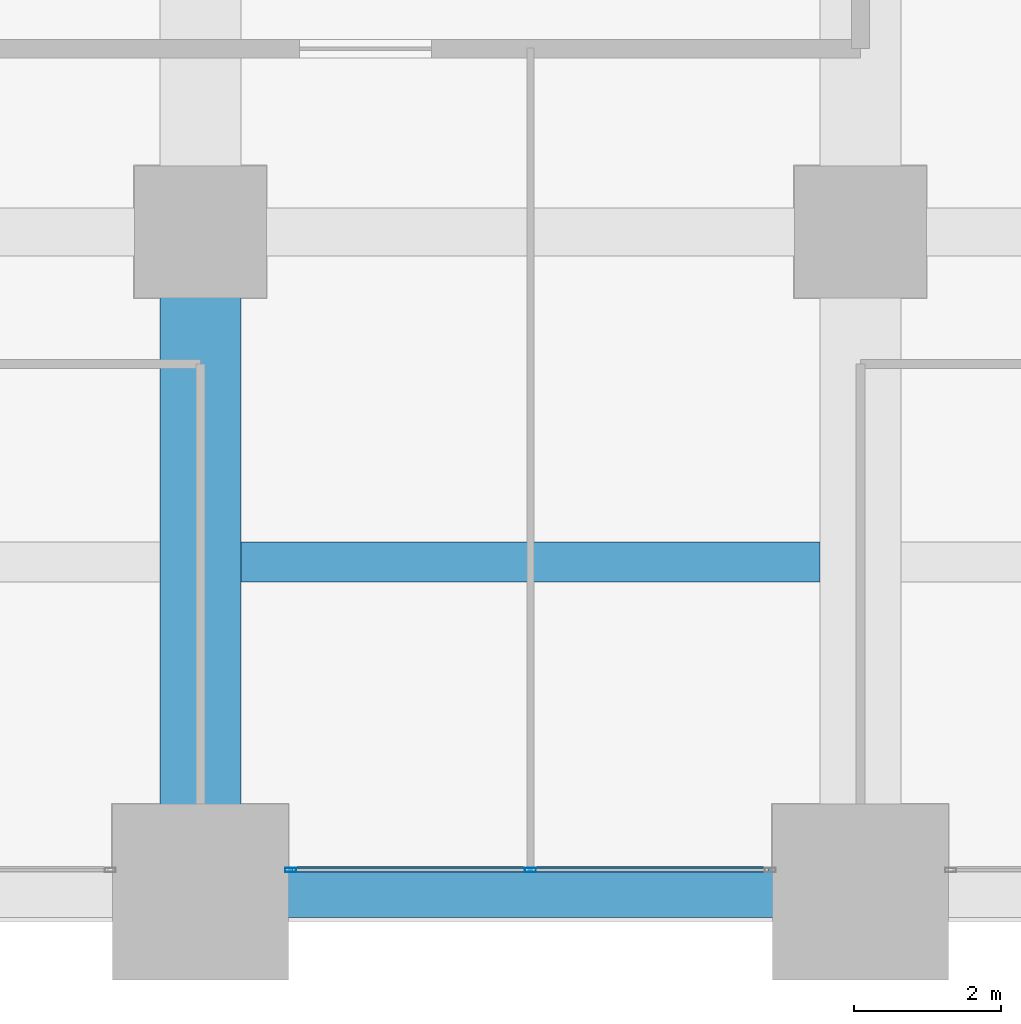
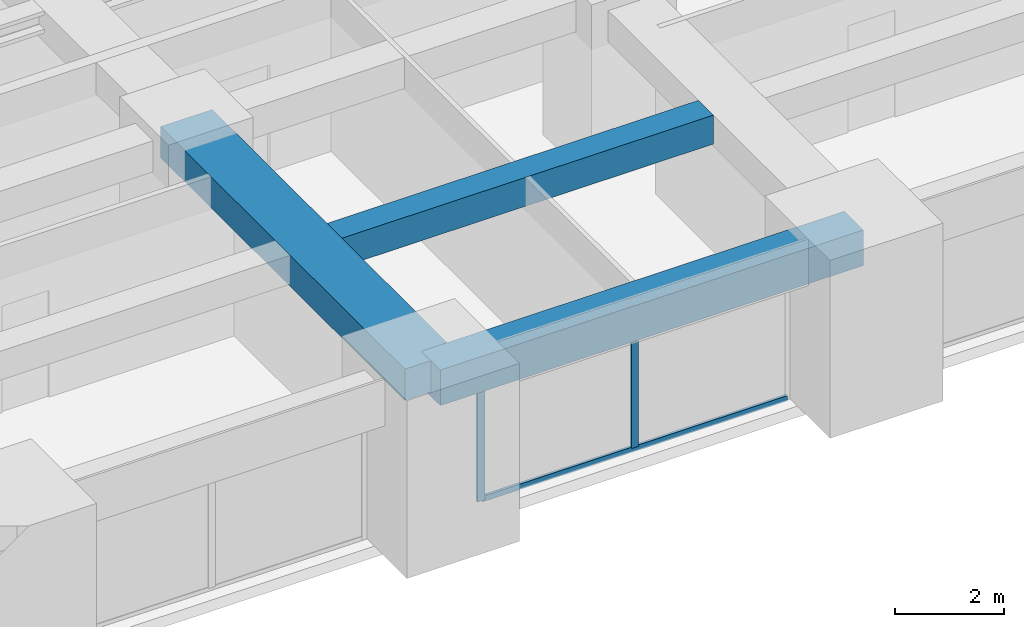
# One storey, part 7 of 39: 3 beams, 3 members, 1 element without a shape of its own.
"""IFC4 building model written with IfcOpenShell, lengths in metres."""

from ifc_helpers import new_model, si_unit, direction, frame, origin, origin_2d, place, context, subcontext, project, spatial, rectangle, hollow_rectangle, extrude, material, material_profile, profile_set, type_object, element, aggregate, save


model = new_model("IFC4")

# Units and contexts
model_context = context("Model", 3, precision=1e-05, world=origin(), true_north=direction((0.0, 1.0)))
body_context = subcontext(model_context, "Body", "Model", "MODEL_VIEW")
ifc_project = project(units=[si_unit("LENGTHUNIT", "METRE"), si_unit("AREAUNIT", "SQUARE_METRE"), si_unit("VOLUMEUNIT", "CUBIC_METRE"), si_unit("PLANEANGLEUNIT", "RADIAN"), si_unit("MASSUNIT", "GRAM", prefix="KILO")], contexts=[model_context])

# Site, building, storey
site_placement = place(None, origin())
site = spatial("IfcSite", under=ifc_project, at=site_placement, CompositionType="ELEMENT")
building_placement = place(site_placement, origin())
building = spatial("IfcBuilding", under=site, at=building_placement, Name="Zorevar Civic Tower", CompositionType="ELEMENT")
storey_placement = place(building_placement, frame((0.0, 0.0, 125.0)))
storey = spatial("IfcBuildingStorey", under=building, at=storey_placement, Name="L30", CompositionType="ELEMENT", Elevation=125.0)

# Beams
ifc_material_1 = material(Name="Concrete C50/60", Category="concrete")
ifc_material_profile_1 = material_profile(ifc_material_1, rectangle(XDim=1.10009765625, YDim=0.699951171875, at=origin_2d()), Name="RC 1100x700")
ifc_profile_set_1 = profile_set([ifc_material_profile_1], Name="Concrete C50/60")
beam_type_1 = type_object("IfcBeamType", Name="Beam RC 1100x700", PredefinedType="BEAM", material=ifc_profile_set_1)
beam_1_placement = place(storey_placement, frame((27.0, 0.0, 3.39990234375), z_axis=(0.0, 1.0, 0.0), x_axis=(-1.0, 0.0, 0.0)))
element("IfcBeam", 1, at=beam_1_placement, inside=storey, type_object=beam_type_1, Name="Girder L31", PredefinedType="BEAM", context=body_context, shape_type="SweptSolid", body=[
    extrude(rectangle(XDim=1.10009765625, YDim=0.699951171875, at=origin_2d()), origin(), (0.0, 0.0, 1.0), 9.0),
])
ifc_material_2 = material(Name="Concrete C50/60", Category="concrete")
ifc_material_profile_2 = material_profile(ifc_material_2, rectangle(XDim=0.550048828125, YDim=0.64990234375, at=origin_2d()), Name="RC 550x650")
ifc_profile_set_2 = profile_set([ifc_material_profile_2], Name="Concrete C50/60")
beam_type_2 = type_object("IfcBeamType", Name="Beam RC 550x650", PredefinedType="BEAM", material=ifc_profile_set_2)
beam_2_placement = place(storey_placement, frame((27.550048828125, 4.5, 3.425048828125), z_axis=(1.0, 0.0, 0.0), x_axis=(0.0, 1.0, 0.0)))
element("IfcBeam", 2, at=beam_2_placement, inside=storey, type_object=beam_type_2, Name="Secondary beam L31", PredefinedType="BEAM", context=body_context, shape_type="SweptSolid", body=[
    extrude(rectangle(XDim=0.550048828125, YDim=0.64990234375, at=origin_2d()), origin(), (0.0, 0.0, 1.0), 7.89990234375),
])

# Curtain wall, members
ifc_material_3 = material(Name="Dark grey solar-control glass in black aluminium frame", Category="aluminium")
curtain_wall_type = type_object("IfcCurtainWallType", Name="Curtain wall CW3 mid zone", PredefinedType="NOTDEFINED", material=ifc_material_3)
curtain_wall_placement = place(storey_placement, origin())
curtain_wall = element("IfcCurtainWall", 3, at=curtain_wall_placement, inside=storey, type_object=curtain_wall_type, Name="CW3 L30", PredefinedType="NOTDEFINED")
ifc_material_4 = material(Name="Aluminium, black anodised", Category="aluminium")
ifc_material_profile_3 = material_profile(ifc_material_4, hollow_rectangle(XDim=0.06005859375, YDim=0.14990234375, WallThickness=0.00390625, at=origin_2d()), Name="AL 150x60x4")
ifc_profile_set_3 = profile_set([ifc_material_profile_3], Name="Aluminium, black anodised")
member_type_1 = type_object("IfcMemberType", Name="CW3 mullion AL 150x60x4", PredefinedType="MULLION", material=ifc_profile_set_3)
member_1_placement = place(storey_placement, frame((28.22998046875, 0.300048828125, 0.0), z_axis=(0.0, 0.0, 1.0), x_axis=(0.0, 1.0, 0.0)))
member_1 = element("IfcMember", 4, at=member_1_placement, type_object=member_type_1, Name="CW3 mullion 1", PredefinedType="MULLION", context=body_context, shape_type="SweptSolid", body=[
    extrude(hollow_rectangle(XDim=0.06005859375, YDim=0.14990234375, WallThickness=0.00390625, at=origin_2d()), origin(), (0.0, 0.0, 1.0), 2.949951171875),
])
member_2_placement = place(storey_placement, frame((31.5, 0.300048828125, 0.06005859375), z_axis=(0.0, 0.0, 1.0), x_axis=(0.0, 1.0, 0.0)))
member_2 = element("IfcMember", 5, at=member_2_placement, type_object=member_type_1, Name="CW3 mullion 2", PredefinedType="MULLION", context=body_context, shape_type="SweptSolid", body=[
    extrude(hollow_rectangle(XDim=0.06005859375, YDim=0.14990234375, WallThickness=0.00390625, at=origin_2d()), origin(), (0.0, 0.0, 1.0), 2.889892578125),
])
ifc_material_5 = material(Name="Aluminium, black anodised", Category="aluminium")
ifc_material_profile_4 = material_profile(ifc_material_5, hollow_rectangle(XDim=0.06005859375, YDim=0.1201171875, WallThickness=0.0029296875, at=origin_2d()), Name="AL 120x60x3")
ifc_profile_set_4 = profile_set([ifc_material_profile_4], Name="Aluminium, black anodised")
member_type_2 = type_object("IfcMemberType", Name="CW3 transom AL 120x60x3", PredefinedType="USERDEFINED", material=ifc_profile_set_4)
member_3_placement = place(storey_placement, frame((28.260009765625, 0.300048828125, 0.030029296875), z_axis=(1.0, 0.0, 0.0), x_axis=(0.0, 1.0, 0.0)))
member_3 = element("IfcMember", 6, at=member_3_placement, type_object=member_type_2, Name="CW3 sill transom", ObjectType="TRANSOM", PredefinedType="USERDEFINED", context=body_context, shape_type="SweptSolid", body=[
    extrude(hollow_rectangle(XDim=0.06005859375, YDim=0.1201171875, WallThickness=0.0029296875, at=origin_2d()), origin(), (0.0, 0.0, 1.0), 6.47998046875),
])
aggregate(curtain_wall, [member_1, member_2, member_3])

# Beam
ifc_material_6 = material(Name="Concrete C50/60", Category="concrete")
ifc_material_profile_5 = material_profile(ifc_material_6, rectangle(XDim=0.699951171875, YDim=0.800048828125, at=origin_2d()), Name="RC 700x800")
ifc_profile_set_5 = profile_set([ifc_material_profile_5], Name="Concrete C50/60")
beam_type_3 = type_object("IfcBeamType", Name="Edge beam RC 700x800", PredefinedType="SPANDREL", material=ifc_profile_set_5)
beam_3_placement = place(storey_placement, frame((27.0, 0.0, 3.35009765625), z_axis=(1.0, 0.0, 0.0), x_axis=(0.0, 1.0, 0.0)))
element("IfcBeam", 7, at=beam_3_placement, inside=storey, type_object=beam_type_3, Name="Edge beam L31", PredefinedType="SPANDREL", context=body_context, shape_type="SweptSolid", body=[
    extrude(rectangle(XDim=0.699951171875, YDim=0.800048828125, at=origin_2d()), origin(), (0.0, 0.0, 1.0), 9.0),
])

save(model, "model.ifc")
